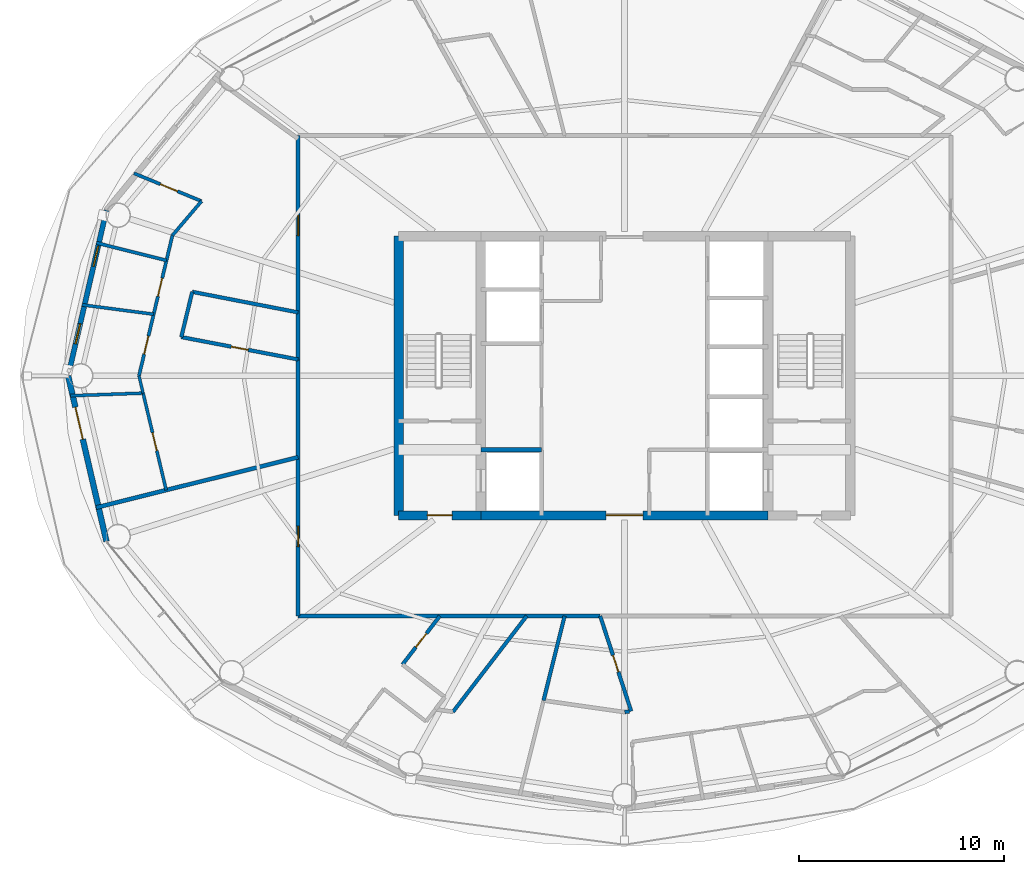
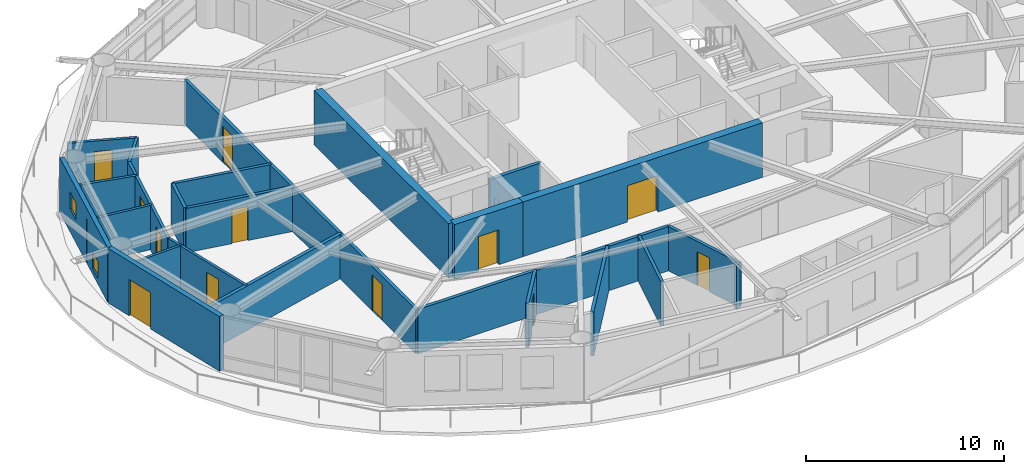
# One storey, part 21 of 28: 26 walls, 12 doors, 2 windows, 14 openings.
"""IFC4 building model written with IfcOpenShell, lengths in metres."""

import ifcopenshell
import ifcopenshell.guid

model = None  # the IFC model being written
_history = None  # IfcOwnerHistory: only IFC2X3 demands one
_inside = {}  # id of a spatial element -> (the spatial element, [elements in it])
_under = {}  # id of a project, library or spatial element -> (it, [spatial elements below it])
_declared = {}  # id of a project -> (the project, [libraries it declares])
_typed = {}  # id of a type object -> (the type object, [elements of that type])
_made_of = {}  # id of a material, layer set ... -> (it, [elements and type objects made of it])


def new_model(schema):
    """Start an empty IFC model of exactly this schema.

    Asked for "IFC4X3", IfcOpenShell would pick the latest addendum, in which some entities
    have other attributes; the version numbers below select the first issue.
    IFC2X3 requires an IfcOwnerHistory on every rooted entity: one is made here for all.
    """
    global model, _history
    if schema == "IFC4X3":
        model = ifcopenshell.file(schema_version=(4, 3, 0, 0))
    else:
        model = ifcopenshell.file(schema=schema)
    _inside.clear()
    _under.clear()
    _declared.clear()
    _typed.clear()
    _made_of.clear()
    _history = None
    if model.schema == "IFC2X3":
        org = make("IfcOrganization", Name="unknown")
        user = make(
            "IfcPersonAndOrganization",
            ThePerson=make("IfcPerson", FamilyName="unknown"),
            TheOrganization=org,
        )
        app = make(
            "IfcApplication",
            ApplicationDeveloper=org,
            Version="unknown",
            ApplicationFullName="unknown",
            ApplicationIdentifier="unknown",
        )
        _history = make(
            "IfcOwnerHistory",
            OwningUser=user,
            OwningApplication=app,
            ChangeAction="ADDED",
            CreationDate=0,
        )
    return model


def make(cls, **values):
    """One entity of the class cls with the attributes given. An attribute that is None is left unset."""
    return model.create_entity(
        cls, **{name: value for name, value in values.items() if value is not None}
    )


def rooted(cls, **values):
    """An entity with a GlobalId (a new one), such as an element, a storey or a relation."""
    return make(cls, GlobalId=ifcopenshell.guid.new(), OwnerHistory=_history, **values)


def si_unit(unit_type, name, prefix=None):
    """IfcSIUnit, for example si_unit("LENGTHUNIT", "METRE", prefix="MILLI")."""
    return make("IfcSIUnit", UnitType=unit_type, Prefix=prefix, Name=name)


def assignment(units):
    """IfcUnitAssignment: the units of a project."""
    return None if units is None else make("IfcUnitAssignment", Units=units)


def point(xyz):
    """IfcCartesianPoint."""
    return None if xyz is None else make("IfcCartesianPoint", Coordinates=xyz)


def direction(xyz):
    """IfcDirection."""
    return None if xyz is None else make("IfcDirection", DirectionRatios=xyz)


def frame(location, z_axis=None, x_axis=None):
    """IfcAxis2Placement3D, a coordinate frame: its origin and axes. An axis left out is left unset."""
    return make(
        "IfcAxis2Placement3D",
        Location=point(location),
        Axis=direction(z_axis),
        RefDirection=direction(x_axis),
    )


def frame_2d(location, x_axis=None):
    """IfcAxis2Placement2D, a coordinate frame in the plane: its origin and x axis."""
    return make(
        "IfcAxis2Placement2D", Location=point(location), RefDirection=direction(x_axis)
    )


def origin():
    """The frame at (0, 0, 0) with its axes left unset."""
    return frame((0.0, 0.0, 0.0))


def place(relative_to, where):
    """IfcLocalPlacement: puts the frame where relative to a parent placement (None: the world)."""
    return make(
        "IfcLocalPlacement", PlacementRelTo=relative_to, RelativePlacement=where
    )


def context(
    kind, dimensions, precision=None, world=None, true_north=None, identifier=None
):
    """IfcGeometricRepresentationContext, for example the 3D "Model" context."""
    return make(
        "IfcGeometricRepresentationContext",
        ContextIdentifier=identifier,
        ContextType=kind,
        CoordinateSpaceDimension=dimensions,
        Precision=precision,
        WorldCoordinateSystem=world,
        TrueNorth=true_north,
    )


def subcontext(parent, identifier, kind, view, scale=None):
    """IfcGeometricRepresentationSubContext, for example "Body" below "Model"."""
    return make(
        "IfcGeometricRepresentationSubContext",
        ContextIdentifier=identifier,
        ContextType=kind,
        ParentContext=parent,
        TargetScale=scale,
        TargetView=view,
    )


def project(units=None, contexts=None):
    """IfcProject with its units and contexts."""
    return rooted(
        "IfcProject",
        Name="project",
        RepresentationContexts=contexts,
        UnitsInContext=assignment(units),
    )


def spatial(cls, under=None, at=None, **own):
    """A site, building, storey or space (cls), placed at a placement, below another one or the project."""
    s = rooted(cls, ObjectPlacement=at, **own)
    if under is not None:
        _under.setdefault(under.id(), (under, []))[1].append(s)
    return s


def profile(cls, at=None, kind="AREA", **sizes):
    """A parametric profile (cls). Its sizes go by their IFC names, for example OverallWidth=200.0."""
    return make(cls, ProfileType=kind, Position=at, **sizes)


def rectangle(**sizes):
    """IfcRectangleProfileDef."""
    return profile("IfcRectangleProfileDef", **sizes)


def extrude(swept, where, along, depth):
    """IfcExtrudedAreaSolid: the profile swept, set in the frame where, extruded along a direction by depth."""
    return make(
        "IfcExtrudedAreaSolid",
        SweptArea=swept,
        Position=where,
        ExtrudedDirection=direction(along),
        Depth=depth,
    )


def shape(context_of_items, identifier, shape_type, items):
    """IfcShapeRepresentation: the items that make up one representation, for example the "Body"."""
    return make(
        "IfcShapeRepresentation",
        ContextOfItems=context_of_items,
        RepresentationIdentifier=identifier,
        RepresentationType=shape_type,
        Items=items,
    )


def material(Name=None, Category=None):
    """IfcMaterial."""
    return make("IfcMaterial", Name=Name, Category=Category)


def layer(
    of_material, thickness, ventilated=None, Name=None, Category=None, Priority=None
):
    """IfcMaterialLayer: one layer of a wall or slab, of a material (None: an air gap)."""
    return make(
        "IfcMaterialLayer",
        Material=of_material,
        LayerThickness=thickness,
        IsVentilated=ventilated,
        Name=Name,
        Category=Category,
        Priority=Priority,
    )


def layer_set(layers, Name=None):
    """IfcMaterialLayerSet."""
    return make("IfcMaterialLayerSet", MaterialLayers=layers, LayerSetName=Name)


def made_of(thing, what):
    """Note that an element or type object is made of a material, layer set ...; save() writes the relation."""
    if what is not None:
        _made_of.setdefault(what.id(), (what, []))[1].append(thing)
    return thing


def type_object(cls, material=None, **own):
    """A type object (cls), such as IfcWallType, which elements share."""
    return made_of(rooted(cls, **own), material)


def element(
    cls,
    number,
    at=None,
    inside=None,
    cuts=None,
    type_object=None,
    material=None,
    context=None,
    identifier="Body",
    shape_type=None,
    held_by="IfcProductDefinitionShape",
    body=None,
    shapes=None,
    **own,
):
    """One element of the class cls, such as IfcWall. Its Tag is "e" and its number.

    at: its placement. inside: the storey or other place that contains it. cuts: it is an
    opening in that element (IfcRelVoidsElement). A single representation is given by context,
    identifier, shape_type and body (its items); several are given by shapes. held_by: the class
    of the entity that holds the representations. save() writes the other relations.
    """
    e = rooted(cls, Tag="e%d" % number, ObjectPlacement=at, **own)
    if body is not None:
        shapes = [shape(context, identifier, shape_type, body)]
    if shapes is not None:
        e.Representation = make(held_by, Representations=shapes)
    if inside is not None:
        _inside.setdefault(inside.id(), (inside, []))[1].append(e)
    if cuts is not None:
        rooted(
            "IfcRelVoidsElement", RelatingBuildingElement=cuts, RelatedOpeningElement=e
        )
    if type_object is not None:
        _typed.setdefault(type_object.id(), (type_object, []))[1].append(e)
    return made_of(e, material)


def fill(opening, filler):
    """IfcRelFillsElement: the door or window that sits in an opening."""
    return rooted(
        "IfcRelFillsElement",
        RelatingOpeningElement=opening,
        RelatedBuildingElement=filler,
    )


def aggregate(whole, parts):
    """IfcRelAggregates: a whole, such as a stair, and the parts it consists of."""
    return rooted("IfcRelAggregates", RelatingObject=whole, RelatedObjects=parts)


def save(model, path):
    """Write the relations noted so far, then the file.

    IfcRelAggregates (storeys below a building ...), IfcRelContainedInSpatialStructure (elements
    in a storey), IfcRelDefinesByType, IfcRelAssociatesMaterial and IfcRelDeclares: one each for
    every whole, place, type object, material and project.
    """
    for whole, parts in _under.values():
        aggregate(whole, parts)
    for where, things in _inside.values():
        rooted(
            "IfcRelContainedInSpatialStructure",
            RelatedElements=things,
            RelatingStructure=where,
        )
    for kind, things in _typed.values():
        rooted("IfcRelDefinesByType", RelatedObjects=things, RelatingType=kind)
    for what, things in _made_of.values():
        rooted("IfcRelAssociatesMaterial", RelatedObjects=things, RelatingMaterial=what)
    for by, libraries in _declared.values():
        rooted("IfcRelDeclares", RelatingContext=by, RelatedDefinitions=libraries)
    model.write(path)


model = new_model("IFC4")

# Units and contexts
model_context = context("Model", 3, precision=1e-05, world=origin(), true_north=direction((0.0, 1.0)))
body_context = subcontext(model_context, "Body", "Model", "MODEL_VIEW")
ifc_project = project(units=[si_unit("LENGTHUNIT", "METRE"), si_unit("AREAUNIT", "SQUARE_METRE"), si_unit("VOLUMEUNIT", "CUBIC_METRE"), si_unit("PLANEANGLEUNIT", "RADIAN"), si_unit("MASSUNIT", "GRAM", prefix="KILO")], contexts=[model_context])

# Site, building, storey
site_placement = place(None, origin())
site = spatial("IfcSite", under=ifc_project, at=site_placement, CompositionType="ELEMENT")
building_placement = place(site_placement, origin())
building = spatial("IfcBuilding", under=site, at=building_placement, Name="Sarneth Arch Tower", CompositionType="ELEMENT")
storey_placement = place(building_placement, frame((0.0, 0.0, 183.0)))
storey = spatial("IfcBuildingStorey", under=building, at=storey_placement, Name="L46", CompositionType="ELEMENT", Elevation=183.0)

# Wall, opening, door
ifc_material_1 = material(Name="Concrete C50/60", Category="concrete")
ifc_layer_1 = layer(ifc_material_1, 0.449951171875)
ifc_layer_set_1 = layer_set([ifc_layer_1], Name="Concrete C50/60")
wall_type_1 = type_object("IfcWallType", Name="WALL-CORE-450", PredefinedType="SHEAR", material=ifc_layer_set_1)
wall_1_placement = place(storey_placement, frame((37.0, 35.199951171875, 0.0), z_axis=(0.0, 0.0, 1.0), x_axis=(1.0, 0.0, 0.0)))
wall_1 = element("IfcWall", 1, at=wall_1_placement, inside=storey, type_object=wall_type_1, Name="L46 Core shear wall S-W", PredefinedType="SHEAR", context=body_context, shape_type="SweptSolid", body=[
    extrude(rectangle(XDim=4.0, YDim=0.449951171875, at=frame_2d((2.0, 0.0))), origin(), (0.0, 0.0, 1.0), 3.3798828125),
])
opening_1_placement = place(wall_1_placement, frame((1.39990234375, 0.0, 0.0)))
opening_1 = element("IfcOpeningElement", 2, at=opening_1_placement, cuts=wall_1, Name="Opening FD-02", PredefinedType="OPENING", context=body_context, shape_type="SweptSolid", body=[
    extrude(rectangle(XDim=1.199951171875, YDim=2.14990234375, at=frame_2d((0.60009765625, 1.074951171875))), frame((0.0, 0.23486328125, 0.0), z_axis=(0.0, -1.0, 0.0), x_axis=(1.0, 0.0, 0.0)), (0.0, 0.0, 1.0), 0.469970703125),
])
ifc_material_2 = material(Name="Galvanised Steel S275 fire door set", Category="steel")
door_type_1 = type_object("IfcDoorType", Name="DR-FD90-1200", OperationType="SINGLE_SWING_LEFT", PredefinedType="DOOR", material=ifc_material_2)
door_1_placement = place(opening_1_placement, origin())
door_1 = element("IfcDoor", 3, at=door_1_placement, inside=storey, type_object=door_type_1, Name="L46 Firefighting lobby 1 exit door", OperationType="SINGLE_SWING_LEFT", OverallHeight=2.14990234375, OverallWidth=1.199951171875, PredefinedType="DOOR", context=body_context, shape_type="SweptSolid", body=[
    extrude(rectangle(XDim=1.199951171875, YDim=2.14990234375, at=frame_2d((0.60009765625, 1.074951171875))), frame((0.0, 0.02490234375, 0.0), z_axis=(0.0, -1.0, 0.0), x_axis=(1.0, 0.0, 0.0)), (0.0, 0.0, 1.0), 0.050048828125),
])
fill(opening_1, door_1)

wall_2_placement = place(storey_placement, frame((41.0, 35.199951171875, 0.0), z_axis=(0.0, 0.0, 1.0), x_axis=(1.0, 0.0, 0.0)))
wall_2 = element("IfcWall", 4, at=wall_2_placement, inside=storey, type_object=wall_type_1, Name="L46 Core shear wall S-M", PredefinedType="SHEAR", context=body_context, shape_type="SweptSolid", body=[
    extrude(rectangle(XDim=14.0, YDim=0.449951171875, at=frame_2d((7.0, 0.0))), origin(), (0.0, 0.0, 1.0), 3.3798828125),
])
opening_2_placement = place(wall_2_placement, frame((6.10009765625, 0.0, 0.0)))
opening_2 = element("IfcOpeningElement", 5, at=opening_2_placement, cuts=wall_2, Name="Opening FD-01", PredefinedType="OPENING", context=body_context, shape_type="SweptSolid", body=[
    extrude(rectangle(XDim=1.800048828125, YDim=2.25, at=frame_2d((0.89990234375, 1.125))), frame((0.0, 0.23486328125, 0.0), z_axis=(0.0, -1.0, 0.0), x_axis=(1.0, 0.0, 0.0)), (0.0, 0.0, 1.0), 0.469970703125),
])
ifc_material_3 = material(Name="Galvanised Steel S275 fire door set", Category="steel")
door_type_2 = type_object("IfcDoorType", Name="DR-FD90-1800", OperationType="DOUBLE_DOOR_SINGLE_SWING", PredefinedType="DOOR", material=ifc_material_3)
door_2_placement = place(opening_2_placement, origin())
door_2 = element("IfcDoor", 6, at=door_2_placement, inside=storey, type_object=door_type_2, Name="L46 Central lift lobby south door", OperationType="DOUBLE_DOOR_SINGLE_SWING", OverallHeight=2.25, OverallWidth=1.800048828125, PredefinedType="DOOR", context=body_context, shape_type="SweptSolid", body=[
    extrude(rectangle(XDim=1.800048828125, YDim=2.25, at=frame_2d((0.89990234375, 1.125))), frame((0.0, 0.02490234375, 0.0), z_axis=(0.0, -1.0, 0.0), x_axis=(1.0, 0.0, 0.0)), (0.0, 0.0, 1.0), 0.050048828125),
])
fill(opening_2, door_2)

# Wall
wall_3_placement = place(storey_placement, frame((37.0, 35.199951171875, 0.0), z_axis=(0.0, 0.0, 1.0), x_axis=(0.0, 1.0, 0.0)))
element("IfcWall", 7, at=wall_3_placement, inside=storey, type_object=wall_type_1, Name="L46 Core shear wall W", PredefinedType="SHEAR", context=body_context, shape_type="SweptSolid", body=[
    extrude(rectangle(XDim=13.60009765625, YDim=0.449951171875, at=frame_2d((6.800048828125, 0.0))), origin(), (0.0, 0.0, 1.0), 3.3798828125),
])

# Wall, opening, door
ifc_material_4 = material(Name="Double steel-stud corridor fire wall", Category="steel")
ifc_layer_2 = layer(ifc_material_4, 0.18994140625)
ifc_layer_set_2 = layer_set([ifc_layer_2], Name="Double steel-stud corridor fire wall")
wall_type_2 = type_object("IfcWallType", Name="WALL-CORR-190", PredefinedType="PARTITIONING", material=ifc_layer_set_2)
wall_4_placement = place(storey_placement, frame((32.10009765625, 42.76513671875, 0.0), z_axis=(0.0, 0.0, 1.0), x_axis=(0.0, 1.0, 0.0)))
wall_4 = element("IfcWall", 8, at=wall_4_placement, inside=storey, type_object=wall_type_2, Name="L46 Interior partition W-L46-TP-010", PredefinedType="PARTITIONING", context=body_context, shape_type="SweptSolid", body=[
    extrude(rectangle(XDim=10.934814453125, YDim=0.18994140625, at=frame_2d((5.46728515625, 0.0))), origin(), (0.0, 0.0, 1.0), 2.739990234375),
])
opening_3_placement = place(wall_4_placement, frame((6.0595703125, 0.0, 0.0)))
opening_3 = element("IfcOpeningElement", 9, at=opening_3_placement, cuts=wall_4, Name="Opening FD-08", PredefinedType="OPENING", context=body_context, shape_type="SweptSolid", body=[
    extrude(rectangle(XDim=1.0, YDim=2.199951171875, at=frame_2d((0.5, 1.10009765625))), frame((0.0, 0.10498046875, 0.0), z_axis=(0.0, -1.0, 0.0), x_axis=(1.0, 0.0, 0.0)), (0.0, 0.0, 1.0), 0.2099609375),
])
ifc_material_5 = material(Name="Hardwood timber acoustic fire door", Category="wood")
door_type_3 = type_object("IfcDoorType", Name="DR-FD60-1000", OperationType="SINGLE_SWING_LEFT", PredefinedType="DOOR", material=ifc_material_5)
door_3_placement = place(opening_3_placement, origin())
door_3 = element("IfcDoor", 10, at=door_3_placement, inside=storey, type_object=door_type_3, Name="L46 Interior door DR-L46-U4-ENT", OperationType="SINGLE_SWING_LEFT", OverallHeight=2.199951171875, OverallWidth=1.0, PredefinedType="DOOR", context=body_context, shape_type="SweptSolid", body=[
    extrude(rectangle(XDim=1.0, YDim=2.199951171875, at=frame_2d((0.5, 1.10009765625))), frame((0.0, 0.02490234375, 0.0), z_axis=(0.0, -1.0, 0.0), x_axis=(1.0, 0.0, 0.0)), (0.0, 0.0, 1.0), 0.050048828125),
])
fill(opening_3, door_3)

wall_5_placement = place(storey_placement, frame((32.10009765625, 30.300048828125, 0.0), z_axis=(0.0, 0.0, 1.0), x_axis=(0.0, 1.0, 0.0)))
wall_5 = element("IfcWall", 11, at=wall_5_placement, inside=storey, type_object=wall_type_2, Name="L46 Interior partition W-L46-TP-013", PredefinedType="PARTITIONING", context=body_context, shape_type="SweptSolid", body=[
    extrude(rectangle(XDim=12.5302734375, YDim=0.18994140625, at=frame_2d((6.26513671875, 0.0))), origin(), (0.0, 0.0, 1.0), 2.739990234375),
])
opening_4_placement = place(wall_5_placement, frame((3.38427734375, 0.0, 0.0)))
opening_4 = element("IfcOpeningElement", 12, at=opening_4_placement, cuts=wall_5, Name="Opening FD-08", PredefinedType="OPENING", context=body_context, shape_type="SweptSolid", body=[
    extrude(rectangle(XDim=1.0, YDim=2.199951171875, at=frame_2d((0.5, 1.10009765625))), frame((0.0, 0.10498046875, 0.0), z_axis=(0.0, -1.0, 0.0), x_axis=(1.0, 0.0, 0.0)), (0.0, 0.0, 1.0), 0.2099609375),
])
door_4_placement = place(opening_4_placement, origin())
door_4 = element("IfcDoor", 13, at=door_4_placement, inside=storey, type_object=door_type_3, Name="L46 Interior door DR-L46-U5-ENT", OperationType="SINGLE_SWING_RIGHT", OverallHeight=2.199951171875, OverallWidth=1.0, PredefinedType="DOOR", context=body_context, shape_type="SweptSolid", body=[
    extrude(rectangle(XDim=1.0, YDim=2.199951171875, at=frame_2d((0.5, 1.10009765625))), frame((0.0, 0.02490234375, 0.0), z_axis=(0.0, -1.0, 0.0), x_axis=(1.0, 0.0, 0.0)), (0.0, 0.0, 1.0), 0.050048828125),
])
fill(opening_4, door_4)

# Wall
wall_6_placement = place(storey_placement, frame((46.817626953125, 30.300048828125, 0.0), z_axis=(0.0, 0.0, 1.0), x_axis=(-1.0, 0.0, 0.0)))
element("IfcWall", 14, at=wall_6_placement, inside=storey, type_object=wall_type_2, Name="L46 Interior partition W-L46-TP-012", PredefinedType="PARTITIONING", context=body_context, shape_type="SweptSolid", body=[
    extrude(rectangle(XDim=14.717529296875, YDim=0.18994140625, at=frame_2d((7.35888671875, 0.0))), origin(), (0.0, 0.0, 1.0), 2.739990234375),
])

# Wall, openings, windows
ifc_material_6 = material(Name="Extruded terracotta rainscreen on Concrete C40/50 backing", Category="masonry")
ifc_layer_3 = layer(ifc_material_6, 0.25)
ifc_layer_set_3 = layer_set([ifc_layer_3], Name="Extruded terracotta rainscreen on Concrete C40/50 backing")
wall_type_3 = type_object("IfcWallType", Name="WALL-EXT-SPAND-250", PredefinedType="SOLIDWALL", material=ifc_layer_set_3)
wall_7_placement = place(storey_placement, frame((22.767578125, 50.06689453125, 0.0), z_axis=(0.0, 0.0, 1.0), x_axis=(-0.225473184558, -0.974249374157, 0.0)))
wall_7 = element("IfcWall", 15, at=wall_7_placement, inside=storey, type_object=wall_type_3, Name="L46 Terracotta perimeter wall 08", PredefinedType="SOLIDWALL", context=body_context, shape_type="SweptSolid", body=[
    extrude(rectangle(XDim=8.280029296875, YDim=0.25, at=frame_2d((4.14013671875, 0.0))), origin(), (0.0, 0.0, 1.0), 3.3798828125),
])
opening_5_placement = place(wall_7_placement, frame((1.797607421875, 0.0, 1.419921875)))
opening_5 = element("IfcOpeningElement", 16, at=opening_5_placement, cuts=wall_7, Name="Opening W-14", PredefinedType="OPENING", context=body_context, shape_type="SweptSolid", body=[
    extrude(rectangle(XDim=1.0, YDim=1.050048828125, at=frame_2d((0.5, 0.52490234375))), frame((0.0, 0.135009765625, 0.0), z_axis=(0.0, -1.0, 0.0), x_axis=(1.0, 0.0, 0.0)), (0.0, 0.0, 1.0), 0.27001953125),
])
opening_6_placement = place(wall_7_placement, frame((5.6787109375, 0.0, 0.35009765625)))
opening_6 = element("IfcOpeningElement", 17, at=opening_6_placement, cuts=wall_7, Name="Opening W-14", PredefinedType="OPENING", context=body_context, shape_type="SweptSolid", body=[
    extrude(rectangle(XDim=1.0, YDim=1.050048828125, at=frame_2d((0.5, 0.52490234375))), frame((0.0, 0.135009765625, 0.0), z_axis=(0.0, -1.0, 0.0), x_axis=(1.0, 0.0, 0.0)), (0.0, 0.0, 1.0), 0.27001953125),
])
ifc_material_7 = material(Name="Thermally broken Aluminium 6063-T6 and low-e laminated IGU", Category="aluminium")
window_type = type_object("IfcWindowType", Name="WIN-TWR-1000x1050", PartitioningType="SINGLE_PANEL", PredefinedType="WINDOW", material=ifc_material_7)
window_1_placement = place(opening_5_placement, origin())
window_1 = element("IfcWindow", 18, at=window_1_placement, inside=storey, type_object=window_type, Name="L46 Dwelling bedroom window 01", OverallHeight=1.050048828125, OverallWidth=1.0, PartitioningType="SINGLE_PANEL", PredefinedType="WINDOW", context=body_context, shape_type="SweptSolid", body=[
    extrude(rectangle(XDim=1.0, YDim=1.050048828125, at=frame_2d((0.5, 0.52490234375))), frame((0.0, 0.030029296875, 0.0), z_axis=(0.0, -1.0, 0.0), x_axis=(1.0, 0.0, 0.0)), (0.0, 0.0, 1.0), 0.06005859375),
])
fill(opening_5, window_1)
window_2_placement = place(opening_6_placement, origin())
window_2 = element("IfcWindow", 19, at=window_2_placement, inside=storey, type_object=window_type, Name="L46 Dwelling bedroom window 02", OverallHeight=1.050048828125, OverallWidth=1.0, PartitioningType="SINGLE_PANEL", PredefinedType="WINDOW", context=body_context, shape_type="SweptSolid", body=[
    extrude(rectangle(XDim=1.0, YDim=1.050048828125, at=frame_2d((0.5, 0.52490234375))), frame((0.0, 0.030029296875, 0.0), z_axis=(0.0, -1.0, 0.0), x_axis=(1.0, 0.0, 0.0)), (0.0, 0.0, 1.0), 0.06005859375),
])
fill(opening_6, window_2)

# Wall, opening, door
ifc_material_8 = material(Name="Extruded terracotta rainscreen on Concrete C40/50 backing", Category="masonry")
ifc_layer_4 = layer(ifc_material_8, 0.280029296875)
ifc_layer_set_4 = layer_set([ifc_layer_4], Name="Extruded terracotta rainscreen on Concrete C40/50 backing")
wall_type_4 = type_object("IfcWallType", Name="WALL-EXT-TERRA-280", PredefinedType="SOLIDWALL", material=ifc_layer_set_4)
wall_8_placement = place(storey_placement, frame((20.900634765625, 42.0, 0.0), z_axis=(0.0, 0.0, 1.0), x_axis=(0.225473184558, -0.974249374157, 0.0)))
wall_8 = element("IfcWall", 20, at=wall_8_placement, inside=storey, type_object=wall_type_4, Name="L46 Terracotta perimeter wall 09", PredefinedType="SOLIDWALL", context=body_context, shape_type="SweptSolid", body=[
    extrude(rectangle(XDim=8.280029296875, YDim=0.280029296875, at=frame_2d((4.14013671875, 0.0))), origin(), (0.0, 0.0, 1.0), 3.3798828125),
])
opening_7_placement = place(wall_8_placement, frame((1.568115234375, 0.0, 0.0)))
opening_7 = element("IfcOpeningElement", 21, at=opening_7_placement, cuts=wall_8, Name="Opening BD-1", PredefinedType="OPENING", context=body_context, shape_type="SweptSolid", body=[
    extrude(rectangle(XDim=1.60009765625, YDim=2.25, at=frame_2d((0.800048828125, 1.125))), frame((0.0, 0.14990234375, 0.0), z_axis=(0.0, -1.0, 0.0), x_axis=(1.0, 0.0, 0.0)), (0.0, 0.0, 1.0), 0.300048828125),
])
ifc_material_9 = material(Name="Thermally broken Aluminium 6063-T6 and laminated safety glass", Category="aluminium")
door_type_4 = type_object("IfcDoorType", Name="DR-BALC-GLZ-1600", OperationType="DOUBLE_DOOR_SINGLE_SWING", PredefinedType="DOOR", material=ifc_material_9)
door_5_placement = place(opening_7_placement, origin())
door_5 = element("IfcDoor", 22, at=door_5_placement, inside=storey, type_object=door_type_4, Name="L46 Balcony glazed door 09", OperationType="DOUBLE_DOOR_SINGLE_SWING", OverallHeight=2.25, OverallWidth=1.60009765625, PredefinedType="DOOR", context=body_context, shape_type="SweptSolid", body=[
    extrude(rectangle(XDim=1.60009765625, YDim=2.25, at=frame_2d((0.800048828125, 1.125))), frame((0.0, 0.02490234375, 0.0), z_axis=(0.0, -1.0, 0.0), x_axis=(1.0, 0.0, 0.0)), (0.0, 0.0, 1.0), 0.050048828125),
])
fill(opening_7, door_5)

# Wall
ifc_material_10 = material(Name="Apartment internal stud partition", Category="gypsum")
ifc_layer_5 = layer(ifc_material_10, 0.139892578125)
ifc_layer_set_5 = layer_set([ifc_layer_5], Name="Apartment internal stud partition")
wall_type_5 = type_object("IfcWallType", Name="WALL-PART-140", PredefinedType="PARTITIONING", material=ifc_layer_set_5)
wall_9_placement = place(storey_placement, frame((24.351318359375, 42.0, 0.0), z_axis=(0.0, 0.0, 1.0), x_axis=(0.231569683902, -0.972818318854, 0.0)))
element("IfcWall", 23, at=wall_9_placement, inside=storey, type_object=wall_type_5, Name="L46 Interior partition W-L46-TP-055", PredefinedType="PARTITIONING", context=body_context, shape_type="SweptSolid", body=[
    extrude(rectangle(XDim=0.865478515625, YDim=0.139892578125, at=frame_2d((0.4326171875, 0.0))), origin(), (0.0, 0.0, 1.0), 2.739990234375),
])

# Wall, opening, door
ifc_material_11 = material(Name="Acoustic gypsum stud partition", Category="gypsum")
ifc_layer_6 = layer(ifc_material_11, 0.14990234375)
ifc_layer_set_6 = layer_set([ifc_layer_6], Name="Acoustic gypsum stud partition")
wall_type_6 = type_object("IfcWallType", Name="WALL-PART-150", PredefinedType="PARTITIONING", material=ifc_layer_set_6)
wall_10_placement = place(storey_placement, frame((24.5517578125, 41.157958984375, 0.0), z_axis=(0.0, 0.0, 1.0), x_axis=(0.231625058686, -0.972805135774, 0.0)))
wall_10 = element("IfcWall", 24, at=wall_10_placement, inside=storey, type_object=wall_type_6, Name="L46 Interior partition W-L46-TP-056", PredefinedType="PARTITIONING", context=body_context, shape_type="SweptSolid", body=[
    extrude(rectangle(XDim=4.85595703125, YDim=0.14990234375, at=frame_2d((2.427978515625, 0.0))), origin(), (0.0, 0.0, 1.0), 2.739990234375),
])
opening_8_placement = place(wall_10_placement, frame((1.977783203125, 0.0, 0.0)))
opening_8 = element("IfcOpeningElement", 25, at=opening_8_placement, cuts=wall_10, Name="Opening ID-01", PredefinedType="OPENING", context=body_context, shape_type="SweptSolid", body=[
    extrude(rectangle(XDim=0.89990234375, YDim=2.10009765625, at=frame_2d((0.449951171875, 1.050048828125))), frame((0.0, 0.0849609375, 0.0), z_axis=(0.0, -1.0, 0.0), x_axis=(1.0, 0.0, 0.0)), (0.0, 0.0, 1.0), 0.169921875),
])
ifc_material_12 = material(Name="Engineered hardwood flush door", Category="wood")
door_type_5 = type_object("IfcDoorType", Name="DR-INT-900", OperationType="SINGLE_SWING_LEFT", PredefinedType="DOOR", material=ifc_material_12)
door_6_placement = place(opening_8_placement, origin())
door_6 = element("IfcDoor", 26, at=door_6_placement, inside=storey, type_object=door_type_5, Name="L46 Interior door DR-L46-U4-BED3", OperationType="SINGLE_SWING_RIGHT", OverallHeight=2.10009765625, OverallWidth=0.89990234375, PredefinedType="DOOR", context=body_context, shape_type="SweptSolid", body=[
    extrude(rectangle(XDim=0.89990234375, YDim=2.10009765625, at=frame_2d((0.449951171875, 1.050048828125))), frame((0.0, 0.02490234375, 0.0), z_axis=(0.0, -1.0, 0.0), x_axis=(1.0, 0.0, 0.0)), (0.0, 0.0, 1.0), 0.050048828125),
])
fill(opening_8, door_6)

# Walls
wall_11_placement = place(storey_placement, frame((24.5517578125, 41.157958984375, 0.0), z_axis=(0.0, 0.0, 1.0), x_axis=(-0.999355385726, -0.035900042072, 0.0)))
element("IfcWall", 27, at=wall_11_placement, inside=storey, type_object=wall_type_6, Name="L46 Interior partition W-L46-TP-060", PredefinedType="PARTITIONING", context=body_context, shape_type="SweptSolid", body=[
    extrude(rectangle(XDim=3.5498046875, YDim=0.14990234375, at=frame_2d((1.77490234375, 0.0))), origin(), (0.0, 0.0, 1.0), 2.739990234375),
])
wall_12_placement = place(storey_placement, frame((21.57861328125, 45.45849609375, 0.0), z_axis=(0.0, 0.0, 1.0), x_axis=(0.991540311483, -0.129799116729, 0.0)))
element("IfcWall", 28, at=wall_12_placement, inside=storey, type_object=wall_type_6, Name="L46 Interior partition W-L46-TP-059", PredefinedType="PARTITIONING", context=body_context, shape_type="SweptSolid", body=[
    extrude(rectangle(XDim=3.517333984375, YDim=0.14990234375, at=frame_2d((1.7587890625, 0.0))), origin(), (0.0, 0.0, 1.0), 2.739990234375),
])

# Wall, opening, door
ifc_material_13 = material(Name="Kitchen wet service chase wall", Category="gypsum")
ifc_layer_7 = layer(ifc_material_13, 0.159912109375)
ifc_layer_set_7 = layer_set([ifc_layer_7], Name="Kitchen wet service chase wall")
wall_type_7 = type_object("IfcWallType", Name="WALL-PLUMB-160", PredefinedType="PLUMBINGWALL", material=ifc_layer_set_7)
wall_13_placement = place(storey_placement, frame((24.10693359375, 51.8662109375, 0.0), z_axis=(0.0, 0.0, 1.0), x_axis=(0.924309814848, -0.381642982611, 0.0)))
wall_13 = element("IfcWall", 29, at=wall_13_placement, inside=storey, type_object=wall_type_7, Name="L46 Interior partition W-L46-TP-047", PredefinedType="PLUMBINGWALL", context=body_context, shape_type="SweptSolid", body=[
    extrude(rectangle(XDim=3.56005859375, YDim=0.159912109375, at=frame_2d((1.780029296875, 0.0))), origin(), (0.0, 0.0, 1.0), 2.739990234375),
])
opening_9_placement = place(wall_13_placement, frame((1.389892578125, 0.0, 0.0)))
opening_9 = element("IfcOpeningElement", 30, at=opening_9_placement, cuts=wall_13, Name="Opening ID-01", PredefinedType="OPENING", context=body_context, shape_type="SweptSolid", body=[
    extrude(rectangle(XDim=0.89990234375, YDim=2.10009765625, at=frame_2d((0.449951171875, 1.050048828125))), frame((0.0, 0.08984375, 0.0), z_axis=(0.0, -1.0, 0.0), x_axis=(1.0, 0.0, 0.0)), (0.0, 0.0, 1.0), 0.179931640625),
])
door_7_placement = place(opening_9_placement, origin())
door_7 = element("IfcDoor", 31, at=door_7_placement, inside=storey, type_object=door_type_5, Name="L46 Interior door DR-L46-U4-KIT", OperationType="SINGLE_SWING_LEFT", OverallHeight=2.10009765625, OverallWidth=0.89990234375, PredefinedType="DOOR", context=body_context, shape_type="SweptSolid", body=[
    extrude(rectangle(XDim=0.89990234375, YDim=2.10009765625, at=frame_2d((0.449951171875, 1.050048828125))), frame((0.0, 0.02490234375, 0.0), z_axis=(0.0, -1.0, 0.0), x_axis=(1.0, 0.0, 0.0)), (0.0, 0.0, 1.0), 0.050048828125),
])
fill(opening_9, door_7)

# Wall
wall_14_placement = place(storey_placement, frame((22.277099609375, 48.47900390625, 0.0), z_axis=(0.0, 0.0, 1.0), x_axis=(0.969720683394, -0.244216699259, 0.0)))
element("IfcWall", 32, at=wall_14_placement, inside=storey, type_object=wall_type_7, Name="L46 Interior partition W-L46-TP-058", PredefinedType="PLUMBINGWALL", context=body_context, shape_type="SweptSolid", body=[
    extrude(rectangle(XDim=3.518798828125, YDim=0.159912109375, at=frame_2d((1.75927734375, 0.0))), origin(), (0.0, 0.0, 1.0), 2.739990234375),
])

# Wall, openings, doors
wall_15_placement = place(storey_placement, frame((25.980712890625, 48.84228515625, 0.0), z_axis=(0.0, 0.0, 1.0), x_axis=(-0.231658068135, -0.972797275627, 0.0)))
wall_15 = element("IfcWall", 33, at=wall_15_placement, inside=storey, type_object=wall_type_7, Name="L46 Interior partition W-L46-TP-054", PredefinedType="PLUMBINGWALL", context=body_context, shape_type="SweptSolid", body=[
    extrude(rectangle(XDim=7.03369140625, YDim=0.159912109375, at=frame_2d((3.516845703125, 0.0))), origin(), (0.0, 0.0, 1.0), 2.739990234375),
])
opening_10_placement = place(wall_15_placement, frame((5.040771484375, 0.0, 0.0)))
opening_10 = element("IfcOpeningElement", 34, at=opening_10_placement, cuts=wall_15, Name="Opening ID-01", PredefinedType="OPENING", context=body_context, shape_type="SweptSolid", body=[
    extrude(rectangle(XDim=0.89990234375, YDim=2.10009765625, at=frame_2d((0.449951171875, 1.050048828125))), frame((0.0, 0.08984375, 0.0), z_axis=(0.0, -1.0, 0.0), x_axis=(1.0, 0.0, 0.0)), (0.0, 0.0, 1.0), 0.179931640625),
])
opening_11_placement = place(wall_15_placement, frame((2.152587890625, 0.0, 0.0)))
opening_11 = element("IfcOpeningElement", 35, at=opening_11_placement, cuts=wall_15, Name="Opening ID-01", PredefinedType="OPENING", context=body_context, shape_type="SweptSolid", body=[
    extrude(rectangle(XDim=0.89990234375, YDim=2.10009765625, at=frame_2d((0.449951171875, 1.050048828125))), frame((0.0, 0.08984375, 0.0), z_axis=(0.0, -1.0, 0.0), x_axis=(1.0, 0.0, 0.0)), (0.0, 0.0, 1.0), 0.179931640625),
])
door_8_placement = place(opening_10_placement, origin())
door_8 = element("IfcDoor", 36, at=door_8_placement, inside=storey, type_object=door_type_5, Name="L46 Interior door DR-L46-U4-BED2", OperationType="SINGLE_SWING_RIGHT", OverallHeight=2.10009765625, OverallWidth=0.89990234375, PredefinedType="DOOR", context=body_context, shape_type="SweptSolid", body=[
    extrude(rectangle(XDim=0.89990234375, YDim=2.10009765625, at=frame_2d((0.449951171875, 1.050048828125))), frame((0.0, 0.02490234375, 0.0), z_axis=(0.0, -1.0, 0.0), x_axis=(1.0, 0.0, 0.0)), (0.0, 0.0, 1.0), 0.050048828125),
])
fill(opening_10, door_8)
door_9_placement = place(opening_11_placement, origin())
door_9 = element("IfcDoor", 37, at=door_9_placement, inside=storey, type_object=door_type_5, Name="L46 Interior door DR-L46-U4-BED1", OperationType="SINGLE_SWING_LEFT", OverallHeight=2.10009765625, OverallWidth=0.89990234375, PredefinedType="DOOR", context=body_context, shape_type="SweptSolid", body=[
    extrude(rectangle(XDim=0.89990234375, YDim=2.10009765625, at=frame_2d((0.449951171875, 1.050048828125))), frame((0.0, 0.02490234375, 0.0), z_axis=(0.0, -1.0, 0.0), x_axis=(1.0, 0.0, 0.0)), (0.0, 0.0, 1.0), 0.050048828125),
])
fill(opening_11, door_9)

# Walls
wall_16_placement = place(storey_placement, frame((27.3974609375, 50.507568359375, 0.0), z_axis=(0.0, 0.0, 1.0), x_axis=(-0.647982213408, -0.761655467457, 0.0)))
element("IfcWall", 38, at=wall_16_placement, inside=storey, type_object=wall_type_7, Name="L46 Interior partition W-L46-TP-048", PredefinedType="PLUMBINGWALL", context=body_context, shape_type="SweptSolid", body=[
    extrude(rectangle(XDim=2.186279296875, YDim=0.159912109375, at=frame_2d((1.09326171875, 0.0))), origin(), (0.0, 0.0, 1.0), 2.739990234375),
])
ifc_material_14 = material(Name="Moisture-resistant plumbing chase wall", Category="gypsum")
ifc_layer_8 = layer(ifc_material_14, 0.179931640625)
ifc_layer_set_8 = layer_set([ifc_layer_8], Name="Moisture-resistant plumbing chase wall")
wall_type_8 = type_object("IfcWallType", Name="WALL-PLUMB-180", PredefinedType="PLUMBINGWALL", material=ifc_layer_set_8)
wall_17_placement = place(storey_placement, frame((39.646484375, 25.6337890625, 0.0), z_axis=(0.0, 0.0, 1.0), x_axis=(0.609572446913, 0.792730365234, 0.0)))
element("IfcWall", 39, at=wall_17_placement, inside=storey, type_object=wall_type_8, Name="L46 Interior partition W-L46-TP-069", PredefinedType="PLUMBINGWALL", context=body_context, shape_type="SweptSolid", body=[
    extrude(rectangle(XDim=5.88623046875, YDim=0.179931640625, at=frame_2d((2.943115234375, 0.0))), origin(), (0.0, 0.0, 1.0), 2.739990234375),
])

# Wall, opening, door
wall_18_placement = place(storey_placement, frame((32.10009765625, 42.7978515625, 0.0), z_axis=(0.0, 0.0, 1.0), x_axis=(-0.982107940525, 0.188318860333, 0.0)))
wall_18 = element("IfcWall", 40, at=wall_18_placement, inside=storey, type_object=wall_type_8, Name="L46 Interior partition W-L46-TP-050", PredefinedType="PLUMBINGWALL", context=body_context, shape_type="SweptSolid", body=[
    extrude(rectangle(XDim=5.791015625, YDim=0.179931640625, at=frame_2d((2.8955078125, 0.0))), origin(), (0.0, 0.0, 1.0), 2.739990234375),
])
opening_12_placement = place(wall_18_placement, frame((2.470458984375, 0.0, 0.0)))
opening_12 = element("IfcOpeningElement", 41, at=opening_12_placement, cuts=wall_18, Name="Opening ID-02", PredefinedType="OPENING", context=body_context, shape_type="SweptSolid", body=[
    extrude(rectangle(XDim=0.85009765625, YDim=2.10009765625, at=frame_2d((0.425048828125, 1.050048828125))), frame((0.0, 0.099853515625, 0.0), z_axis=(0.0, -1.0, 0.0), x_axis=(1.0, 0.0, 0.0)), (0.0, 0.0, 1.0), 0.199951171875),
])
ifc_material_15 = material(Name="Moisture-resistant bathroom timber door", Category="wood")
door_type_6 = type_object("IfcDoorType", Name="DR-INT-850", OperationType="SINGLE_SWING_RIGHT", PredefinedType="DOOR", material=ifc_material_15)
door_10_placement = place(opening_12_placement, origin())
door_10 = element("IfcDoor", 42, at=door_10_placement, inside=storey, type_object=door_type_6, Name="L46 Interior door DR-L46-U4-BATH", OperationType="SINGLE_SWING_RIGHT", OverallHeight=2.10009765625, OverallWidth=0.85009765625, PredefinedType="DOOR", context=body_context, shape_type="SweptSolid", body=[
    extrude(rectangle(XDim=0.85009765625, YDim=2.10009765625, at=frame_2d((0.425048828125, 1.050048828125))), frame((0.0, 0.02490234375, 0.0), z_axis=(0.0, -1.0, 0.0), x_axis=(1.0, 0.0, 0.0)), (0.0, 0.0, 1.0), 0.050048828125),
])
fill(opening_12, door_10)

# Wall
wall_19_placement = place(storey_placement, frame((26.946533203125, 46.09228515625, 0.0), z_axis=(0.0, 0.0, 1.0), x_axis=(0.981628698507, -0.190801200908, 0.0)))
element("IfcWall", 43, at=wall_19_placement, inside=storey, type_object=wall_type_8, Name="L46 Interior partition W-L46-TP-052", PredefinedType="PLUMBINGWALL", context=body_context, shape_type="SweptSolid", body=[
    extrude(rectangle(XDim=5.25, YDim=0.179931640625, at=frame_2d((2.625, 0.0))), origin(), (0.0, 0.0, 1.0), 2.739990234375),
])

# Wall, opening, door
wall_20_placement = place(storey_placement, frame((46.817626953125, 30.300048828125, 0.0), z_axis=(0.0, 0.0, 1.0), x_axis=(0.309560761104, -0.950879663882, 0.0)))
wall_20 = element("IfcWall", 44, at=wall_20_placement, inside=storey, type_object=wall_type_8, Name="L46 Interior partition W-L46-TP-074", PredefinedType="PLUMBINGWALL", context=body_context, shape_type="SweptSolid", body=[
    extrude(rectangle(XDim=4.872314453125, YDim=0.179931640625, at=frame_2d((2.43603515625, 0.0))), origin(), (0.0, 0.0, 1.0), 2.739990234375),
])
opening_13_placement = place(wall_20_placement, frame((2.01123046875, 0.0, 0.0)))
opening_13 = element("IfcOpeningElement", 45, at=opening_13_placement, cuts=wall_20, Name="Opening ID-02", PredefinedType="OPENING", context=body_context, shape_type="SweptSolid", body=[
    extrude(rectangle(XDim=0.85009765625, YDim=2.10009765625, at=frame_2d((0.425048828125, 1.050048828125))), frame((0.0, 0.099853515625, 0.0), z_axis=(0.0, -1.0, 0.0), x_axis=(1.0, 0.0, 0.0)), (0.0, 0.0, 1.0), 0.199951171875),
])
door_11_placement = place(opening_13_placement, origin())
door_11 = element("IfcDoor", 46, at=door_11_placement, inside=storey, type_object=door_type_6, Name="L46 Interior door DR-L46-U6-BATH", OperationType="SINGLE_SWING_RIGHT", OverallHeight=2.10009765625, OverallWidth=0.85009765625, PredefinedType="DOOR", context=body_context, shape_type="SweptSolid", body=[
    extrude(rectangle(XDim=0.85009765625, YDim=2.10009765625, at=frame_2d((0.425048828125, 1.050048828125))), frame((0.0, 0.02490234375, 0.0), z_axis=(0.0, -1.0, 0.0), x_axis=(1.0, 0.0, 0.0)), (0.0, 0.0, 1.0), 0.050048828125),
])
fill(opening_13, door_11)

# Wall
wall_21_placement = place(storey_placement, frame((44.057373046875, 26.186767578125, 0.0), z_axis=(0.0, 0.0, 1.0), x_axis=(0.241939344098, 0.97029137571, 0.0)))
element("IfcWall", 47, at=wall_21_placement, inside=storey, type_object=wall_type_8, Name="L46 Interior partition W-L46-TP-071", PredefinedType="PLUMBINGWALL", context=body_context, shape_type="SweptSolid", body=[
    extrude(rectangle(XDim=4.2392578125, YDim=0.179931640625, at=frame_2d((2.11962890625, 0.0))), origin(), (0.0, 0.0, 1.0), 2.739990234375),
])

# Wall, opening, door
wall_22_placement = place(storey_placement, frame((37.186279296875, 27.93798828125, 0.0), z_axis=(0.0, 0.0, 1.0), x_axis=(0.609591964346, 0.792715356862, 0.0)))
wall_22 = element("IfcWall", 48, at=wall_22_placement, inside=storey, type_object=wall_type_8, Name="L46 Interior partition W-L46-TP-064", PredefinedType="PLUMBINGWALL", context=body_context, shape_type="SweptSolid", body=[
    extrude(rectangle(XDim=2.979736328125, YDim=0.179931640625, at=frame_2d((1.48974609375, 0.0))), origin(), (0.0, 0.0, 1.0), 2.739990234375),
])
opening_14_placement = place(wall_22_placement, frame((1.06494140625, 0.0, 0.0)))
opening_14 = element("IfcOpeningElement", 49, at=opening_14_placement, cuts=wall_22, Name="Opening ID-02", PredefinedType="OPENING", context=body_context, shape_type="SweptSolid", body=[
    extrude(rectangle(XDim=0.85009765625, YDim=2.10009765625, at=frame_2d((0.425048828125, 1.050048828125))), frame((0.0, 0.099853515625, 0.0), z_axis=(0.0, -1.0, 0.0), x_axis=(1.0, 0.0, 0.0)), (0.0, 0.0, 1.0), 0.199951171875),
])
door_12_placement = place(opening_14_placement, origin())
door_12 = element("IfcDoor", 50, at=door_12_placement, inside=storey, type_object=door_type_6, Name="L46 Interior door DR-L46-U5-BATH", OperationType="SINGLE_SWING_RIGHT", OverallHeight=2.10009765625, OverallWidth=0.85009765625, PredefinedType="DOOR", context=body_context, shape_type="SweptSolid", body=[
    extrude(rectangle(XDim=0.85009765625, YDim=2.10009765625, at=frame_2d((0.425048828125, 1.050048828125))), frame((0.0, 0.02490234375, 0.0), z_axis=(0.0, -1.0, 0.0), x_axis=(1.0, 0.0, 0.0)), (0.0, 0.0, 1.0), 0.050048828125),
])
fill(opening_14, door_12)

# Walls
wall_23_placement = place(storey_placement, frame((26.41259765625, 43.888427734375, 0.0), z_axis=(0.0, 0.0, 1.0), x_axis=(0.235461357856, 0.971883711643, 0.0)))
element("IfcWall", 51, at=wall_23_placement, inside=storey, type_object=wall_type_8, Name="L46 Interior partition W-L46-TP-051", PredefinedType="PLUMBINGWALL", context=body_context, shape_type="SweptSolid", body=[
    extrude(rectangle(XDim=2.267578125, YDim=0.179931640625, at=frame_2d((1.1337890625, 0.0))), origin(), (0.0, 0.0, 1.0), 2.739990234375),
])
wall_24_placement = place(storey_placement, frame((48.23486328125, 25.65380859375, 0.0), z_axis=(0.0, 0.0, 1.0), x_axis=(-0.989709601841, -0.143090544844, 0.0)))
element("IfcWall", 52, at=wall_24_placement, inside=storey, type_object=wall_type_8, Name="L46 Interior partition W-L46-TP-075", PredefinedType="PLUMBINGWALL", context=body_context, shape_type="SweptSolid", body=[
    extrude(rectangle(XDim=0.22509765625, YDim=0.179931640625, at=frame_2d((0.112548828125, 0.0))), origin(), (0.0, 0.0, 1.0), 2.739990234375),
])
ifc_material_16 = material(Name="Aerated concrete blockwork C25/30", Category="masonry")
ifc_layer_9 = layer(ifc_material_16, 0.199951171875)
ifc_layer_set_9 = layer_set([ifc_layer_9], Name="Aerated concrete blockwork C25/30")
wall_type_9 = type_object("IfcWallType", Name="WALL-SHAFT-200", PredefinedType="SOLIDWALL", material=ifc_layer_set_9)
wall_25_placement = place(storey_placement, frame((41.0, 38.39990234375, 0.0), z_axis=(0.0, 0.0, 1.0), x_axis=(1.0, 0.0, 0.0)))
element("IfcWall", 53, at=wall_25_placement, inside=storey, type_object=wall_type_9, Name="L46 Interior partition W-L46-FL1-N", PredefinedType="SOLIDWALL", context=body_context, shape_type="SweptSolid", body=[
    extrude(rectangle(XDim=2.949951171875, YDim=0.199951171875, at=frame_2d((1.47509765625, 0.0))), origin(), (0.0, 0.0, 1.0), 2.739990234375),
])
ifc_material_17 = material(Name="Double steel-stud acoustic drywall", Category="steel")
ifc_layer_10 = layer(ifc_material_17, 0.199951171875)
ifc_layer_set_10 = layer_set([ifc_layer_10], Name="Double steel-stud acoustic drywall")
wall_type_10 = type_object("IfcWallType", Name="WALL-UNIT-200", PredefinedType="PARTITIONING", material=ifc_layer_set_10)
wall_26_placement = place(storey_placement, frame((22.2626953125, 35.5830078125, 0.0), z_axis=(0.0, 0.0, 1.0), x_axis=(0.970298114693, 0.241912315983, 0.0)))
element("IfcWall", 54, at=wall_26_placement, inside=storey, type_object=wall_type_10, Name="L46 Interior partition W-L46-TP-057", PredefinedType="PARTITIONING", context=body_context, shape_type="SweptSolid", body=[
    extrude(rectangle(XDim=10.138427734375, YDim=0.199951171875, at=frame_2d((5.0693359375, 0.0))), origin(), (0.0, 0.0, 1.0), 2.739990234375),
])

save(model, "model.ifc")
